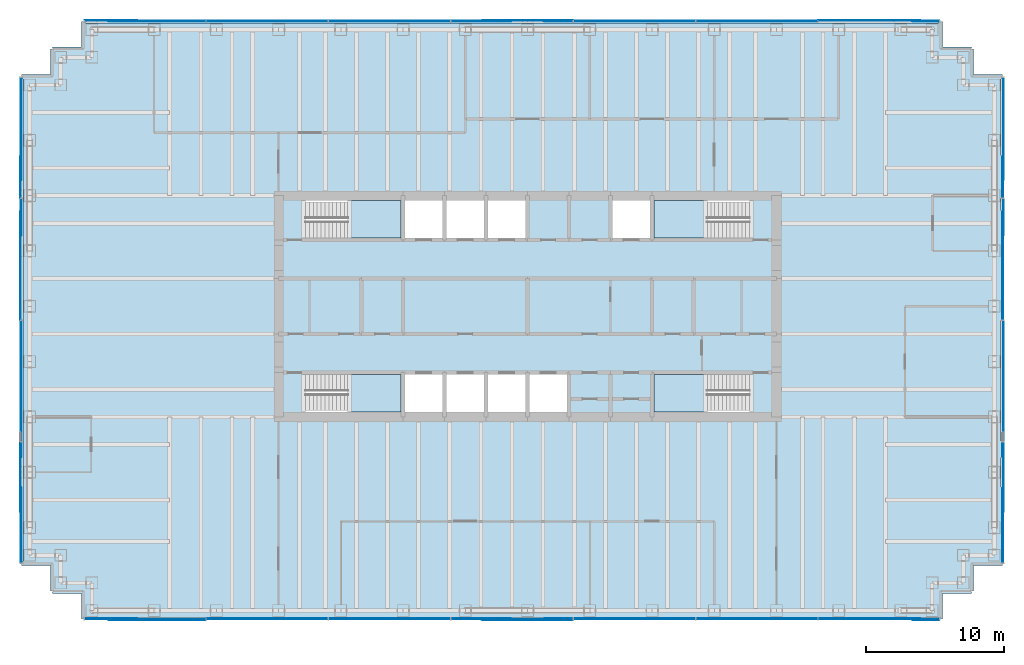
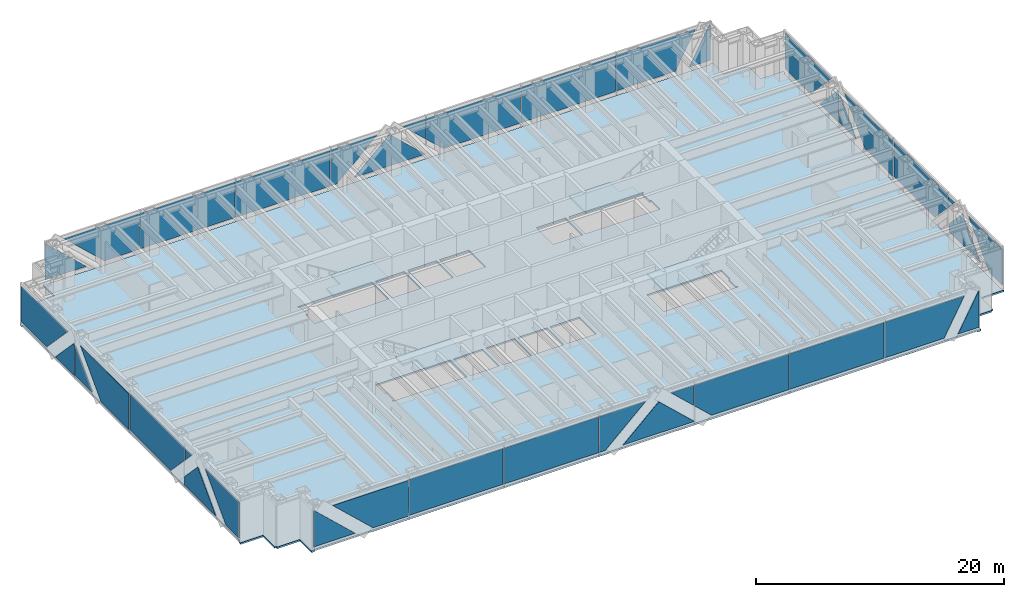
# One storey, part 10 of 17: 38 plates, 5 slabs, 8 elements without a shape of their own.
"""IFC4 building model written with IfcOpenShell, lengths in metres."""

from ifc_helpers import new_model, si_unit, direction, frame, origin, origin_2d, place, context, subcontext, project, spatial, polyline, rectangle, outline, extrude, material, layer, layer_set, type_object, element, aggregate, save


model = new_model("IFC4")

# Units and contexts
model_context = context("Model", 3, precision=1e-05, world=origin(), true_north=direction((0.0, 1.0)))
body_context = subcontext(model_context, "Body", "Model", "MODEL_VIEW")
ifc_project = project(units=[si_unit("LENGTHUNIT", "METRE"), si_unit("AREAUNIT", "SQUARE_METRE"), si_unit("VOLUMEUNIT", "CUBIC_METRE"), si_unit("PLANEANGLEUNIT", "RADIAN"), si_unit("MASSUNIT", "GRAM", prefix="KILO")], contexts=[model_context])

# Site, building, storey
site_placement = place(None, origin())
site = spatial("IfcSite", under=ifc_project, at=site_placement, CompositionType="ELEMENT")
building_placement = place(site_placement, origin())
building = spatial("IfcBuilding", under=site, at=building_placement, Name="Rheinbord Bourse Tower", CompositionType="ELEMENT")
storey_placement = place(building_placement, frame((0.0, 0.0, 300.5)))
storey = spatial("IfcBuildingStorey", under=building, at=storey_placement, Name="L68", CompositionType="ELEMENT", Elevation=300.5)

# Slab
ifc_material_1 = material(Name="Concrete C30/37", Category="concrete")
ifc_layer_1 = layer(ifc_material_1, 0.159912109375)
ifc_layer_set_1 = layer_set([ifc_layer_1], Name="COMPOSITE FLOOR SLAB 160")
slab_type_1 = type_object("IfcSlabType", Name="COMPOSITE FLOOR SLAB 160", PredefinedType="FLOOR", material=ifc_layer_set_1)
slab_1_placement = place(storey_placement, frame((0.0, 0.0, -0.159912109375)))
element("IfcSlab", 1, at=slab_1_placement, inside=storey, type_object=slab_type_1, Name="Floor slab L68", PredefinedType="FLOOR", context=body_context, shape_type="SweptSolid", body=[
    extrude(outline(polyline([(1.64990234375, 3.39990234375), (1.5, 3.39990234375), (1.5, 5.25), (-0.60009765625, 5.25), (-0.60009765625, 5.550048828125), (-0.5, 5.550048828125), (-0.5, 40.449951171875), (-0.60009765625, 40.449951171875), (-0.60009765625, 40.75), (1.5, 40.75), (1.5, 42.60009765625), (1.64990234375, 42.60009765625), (1.64990234375, 42.75), (3.75, 42.75), (3.75, 44.60009765625), (4.050048828125, 44.60009765625), (4.050048828125, 44.5), (65.699951171875, 44.5), (65.699951171875, 44.60009765625), (66.0, 44.60009765625), (66.0, 42.75), (68.10009765625, 42.75), (68.10009765625, 42.60009765625), (68.25, 42.60009765625), (68.25, 40.75), (70.35009765625, 40.75), (70.35009765625, 40.449951171875), (70.25, 40.449951171875), (70.25, 5.550048828125), (70.35009765625, 5.550048828125), (70.35009765625, 5.25), (68.25, 5.25), (68.25, 3.39990234375), (68.10009765625, 3.39990234375), (68.10009765625, 3.25), (66.0, 3.25), (66.0, 1.39990234375), (65.699951171875, 1.39990234375), (65.699951171875, 1.5), (4.050048828125, 1.5), (4.050048828125, 1.39990234375), (3.75, 1.39990234375), (3.75, 3.25), (1.64990234375, 3.25), (1.64990234375, 3.39990234375)]), holes=[polyline([(19.949951171875, 19.050048828125), (26.85009765625, 19.050048828125), (26.85009765625, 16.35009765625), (19.949951171875, 16.35009765625), (19.949951171875, 16.449951171875), (20.10009765625, 16.449951171875), (20.10009765625, 17.64990234375), (19.949951171875, 17.64990234375), (19.949951171875, 19.050048828125)]), polyline([(19.949951171875, 31.64990234375), (26.85009765625, 31.64990234375), (26.85009765625, 28.949951171875), (19.949951171875, 28.949951171875), (19.949951171875, 30.35009765625), (20.10009765625, 30.35009765625), (20.10009765625, 31.550048828125), (19.949951171875, 31.550048828125), (19.949951171875, 31.64990234375)]), polyline([(52.050048828125, 16.35009765625), (45.14990234375, 16.35009765625), (45.14990234375, 19.050048828125), (52.050048828125, 19.050048828125), (52.050048828125, 17.64990234375), (51.89990234375, 17.64990234375), (51.89990234375, 16.449951171875), (52.050048828125, 16.449951171875), (52.050048828125, 16.35009765625)]), polyline([(52.050048828125, 28.949951171875), (45.14990234375, 28.949951171875), (45.14990234375, 31.64990234375), (52.050048828125, 31.64990234375), (52.050048828125, 31.550048828125), (51.89990234375, 31.550048828125), (51.89990234375, 30.35009765625), (52.050048828125, 30.35009765625), (52.050048828125, 28.949951171875)]), polyline([(27.14990234375, 16.35009765625), (27.14990234375, 19.050048828125), (29.85009765625, 19.050048828125), (29.85009765625, 16.35009765625), (27.14990234375, 16.35009765625)]), polyline([(27.14990234375, 28.949951171875), (27.14990234375, 31.64990234375), (29.85009765625, 31.64990234375), (29.85009765625, 28.949951171875), (27.14990234375, 28.949951171875)]), polyline([(30.14990234375, 16.35009765625), (30.14990234375, 19.050048828125), (32.85009765625, 19.050048828125), (32.85009765625, 16.35009765625), (30.14990234375, 16.35009765625)]), polyline([(30.14990234375, 28.949951171875), (30.14990234375, 31.64990234375), (32.85009765625, 31.64990234375), (32.85009765625, 28.949951171875), (30.14990234375, 28.949951171875)]), polyline([(33.14990234375, 16.35009765625), (33.14990234375, 19.050048828125), (35.85009765625, 19.050048828125), (35.85009765625, 16.35009765625), (33.14990234375, 16.35009765625)]), polyline([(33.14990234375, 28.949951171875), (33.14990234375, 31.64990234375), (35.85009765625, 31.64990234375), (35.85009765625, 28.949951171875), (33.14990234375, 28.949951171875)]), polyline([(36.14990234375, 16.35009765625), (36.14990234375, 19.050048828125), (38.85009765625, 19.050048828125), (38.85009765625, 16.35009765625), (36.14990234375, 16.35009765625)]), polyline([(42.14990234375, 28.949951171875), (42.14990234375, 31.64990234375), (44.85009765625, 31.64990234375), (44.85009765625, 28.949951171875), (42.14990234375, 28.949951171875)])]), origin(), (0.0, 0.0, 1.0), 0.159912109375),
])

# Curtain wall, plates
ifc_material_2 = material(Name="Dark glass and black aluminium", Category="aluminium")
curtain_wall_type = type_object("IfcCurtainWallType", Name="CW3 DARK GLASS CURTAIN WALL", PredefinedType="USERDEFINED", material=ifc_material_2)
curtain_wall_1_placement = place(storey_placement, origin())
curtain_wall_1 = element("IfcCurtainWall", 2, at=curtain_wall_1_placement, inside=storey, type_object=curtain_wall_type, Name="Curtain wall CW3 S L68", ObjectType="UNITISED CURTAIN WALL", PredefinedType="USERDEFINED")
ifc_material_3 = material(Name="Dark tinted triple insulating glass", Category="glass")
ifc_layer_2 = layer(ifc_material_3, 0.055908203125)
ifc_layer_set_2 = layer_set([ifc_layer_2], Name="CW3 DARK GLASS PANEL")
plate_type = type_object("IfcPlateType", Name="CW3 DARK GLASS PANEL", PredefinedType="CURTAIN_PANEL", material=ifc_layer_set_2)
plate_1_placement = place(storey_placement, frame((17.175048828125, 1.39990234375, 0.35009765625), z_axis=(0.0, 0.0, 1.0), x_axis=(1.0, 0.0, 0.0)))
plate_1 = element("IfcPlate", 3, at=plate_1_placement, type_object=plate_type, Name="CW3 panel 2.1", PredefinedType="CURTAIN_PANEL", context=body_context, shape_type="SweptSolid", body=[
    extrude(rectangle(XDim=8.784912109375, YDim=0.055908203125, at=origin_2d()), origin(), (0.0, 0.0, 1.0), 3.5),
])
plate_2_placement = place(storey_placement, frame((26.02490234375, 1.39990234375, 0.35009765625), z_axis=(0.0, 0.0, 1.0), x_axis=(1.0, 0.0, 0.0)))
plate_2 = element("IfcPlate", 4, at=plate_2_placement, type_object=plate_type, Name="CW3 panel 3.1", PredefinedType="CURTAIN_PANEL", context=body_context, shape_type="SweptSolid", body=[
    extrude(rectangle(XDim=8.784912109375, YDim=0.055908203125, at=origin_2d()), origin(), (0.0, 0.0, 1.0), 3.5),
])
plate_3_placement = place(storey_placement, frame((52.574951171875, 1.39990234375, 0.35009765625), z_axis=(0.0, 0.0, 1.0), x_axis=(1.0, 0.0, 0.0)))
plate_3 = element("IfcPlate", 5, at=plate_3_placement, type_object=plate_type, Name="CW3 panel 6.1", PredefinedType="CURTAIN_PANEL", context=body_context, shape_type="SweptSolid", body=[
    extrude(rectangle(XDim=8.784912109375, YDim=0.055908203125, at=origin_2d()), origin(), (0.0, 0.0, 1.0), 3.5),
])
plate_4_placement = place(storey_placement, frame((3.965087890625, 1.3720703125, 0.35009765625), z_axis=(0.0, 1.0, 0.0), x_axis=(0.0, 0.0, 1.0)))
plate_4 = element("IfcPlate", 6, at=plate_4_placement, type_object=plate_type, Name="CW3 glass facet 1", PredefinedType="CURTAIN_PANEL", context=body_context, shape_type="SweptSolid", body=[
    extrude(outline(polyline([(0.0, 0.0), (3.5, 0.0), (3.5, 0.097900390625), (0.0, 3.847900390625), (0.0, 0.0)])), origin(), (0.0, 0.0, 1.0), 0.055908203125),
])
plate_5_placement = place(storey_placement, frame((12.717041015625, 1.31103515625, 3.85009765625), z_axis=(0.0, 1.0, 0.0), x_axis=(0.0, 0.0, -1.0)))
plate_5 = element("IfcPlate", 7, at=plate_5_placement, type_object=plate_type, Name="CW3 glass facet 2", PredefinedType="CURTAIN_PANEL", context=body_context, shape_type="SweptSolid", body=[
    extrude(outline(polyline([(0.0, 0.0), (3.5, 0.0), (3.5, 3.280029296875), (0.0, 7.030029296875), (0.0, 0.0)])), origin(), (0.0, 0.0, 1.0), 0.055908203125),
])
plate_6_placement = place(storey_placement, frame((30.48193359375, 1.3720703125, 0.35009765625), z_axis=(0.0, 1.0, 0.0), x_axis=(0.0, 0.0, 1.0)))
plate_6 = element("IfcPlate", 8, at=plate_6_placement, type_object=plate_type, Name="CW3 glass facet 1", PredefinedType="CURTAIN_PANEL", context=body_context, shape_type="SweptSolid", body=[
    extrude(outline(polyline([(0.0, 0.0), (3.5, 0.0), (3.5, 4.3310546875), (0.0, 0.5810546875), (0.0, 0.0)])), origin(), (0.0, 0.0, 1.0), 0.055908203125),
])
plate_7_placement = place(storey_placement, frame((39.26806640625, 1.31103515625, 0.35009765625), z_axis=(0.0, 1.0, 0.0), x_axis=(-1.0, 0.0, 0.0)))
plate_7 = element("IfcPlate", 9, at=plate_7_placement, type_object=plate_type, Name="CW3 glass facet 2", PredefinedType="CURTAIN_PANEL", context=body_context, shape_type="SweptSolid", body=[
    extrude(outline(polyline([(0.0, 0.0), (6.5810546875, 0.0), (3.26806640625, 3.091796875), (0.0, 0.04296875), (0.0, 0.0)])), origin(), (0.0, 0.0, 1.0), 0.055908203125),
])
plate_8_placement = place(storey_placement, frame((39.26806640625, 1.3720703125, 3.85009765625), z_axis=(0.0, 1.0, 0.0), x_axis=(0.0, 0.0, -1.0)))
plate_8 = element("IfcPlate", 10, at=plate_8_placement, type_object=plate_type, Name="CW3 glass facet 3", PredefinedType="CURTAIN_PANEL", context=body_context, shape_type="SweptSolid", body=[
    extrude(outline(polyline([(0.0, 0.0), (1.942138671875, 0.0), (0.0, 2.0810546875), (0.0, 0.0)])), origin(), (0.0, 0.0, 1.0), 0.055908203125),
])
plate_9_placement = place(storey_placement, frame((39.3330078125, 1.3720703125, 3.85009765625), z_axis=(0.0, 1.0, 0.0), x_axis=(1.0, 0.0, 0.0)))
plate_9 = element("IfcPlate", 11, at=plate_9_placement, type_object=plate_type, Name="CW3 glass facet 1", PredefinedType="CURTAIN_PANEL", context=body_context, shape_type="SweptSolid", body=[
    extrude(outline(polyline([(0.0, 0.0), (8.783935546875, 0.0), (8.783935546875, 3.5), (1.60400390625, 3.5), (0.0, 2.003173828125), (0.0, 0.0)])), origin(), (0.0, 0.0, 1.0), 0.055908203125),
])
plate_10_placement = place(storey_placement, frame((57.031982421875, 1.3720703125, 0.35009765625), z_axis=(0.0, 1.0, 0.0), x_axis=(0.0, 0.0, 1.0)))
plate_10 = element("IfcPlate", 12, at=plate_10_placement, type_object=plate_type, Name="CW3 glass facet 1", PredefinedType="CURTAIN_PANEL", context=body_context, shape_type="SweptSolid", body=[
    extrude(outline(polyline([(0.0, 0.0), (3.5, 0.0), (3.5, 7.402099609375), (0.0, 5.527099609375), (0.0, 0.0)])), origin(), (0.0, 0.0, 1.0), 0.055908203125),
])
plate_11_placement = place(storey_placement, frame((65.784912109375, 1.31103515625, 3.85009765625), z_axis=(0.0, 1.0, 0.0), x_axis=(0.0, 0.0, -1.0)))
plate_11 = element("IfcPlate", 13, at=plate_11_placement, type_object=plate_type, Name="CW3 glass facet 2", PredefinedType="CURTAIN_PANEL", context=body_context, shape_type="SweptSolid", body=[
    extrude(outline(polyline([(0.0, 0.0), (3.5, 0.0), (3.5, 1.968994140625), (0.0, 0.093994140625), (0.0, 0.0)])), origin(), (0.0, 0.0, 1.0), 0.055908203125),
])
aggregate(curtain_wall_1, [plate_1, plate_2, plate_3, plate_4, plate_5, plate_6, plate_7, plate_8, plate_9, plate_10, plate_11])

curtain_wall_2_placement = place(storey_placement, origin())
curtain_wall_2 = element("IfcCurtainWall", 14, at=curtain_wall_2_placement, inside=storey, type_object=curtain_wall_type, Name="Curtain wall CW3 E L68", ObjectType="UNITISED CURTAIN WALL", PredefinedType="USERDEFINED")
plate_12_placement = place(storey_placement, frame((70.3779296875, 5.465087890625, 0.35009765625), z_axis=(-1.0, 0.0, 0.0), x_axis=(0.0, 0.0, 1.0)))
plate_12 = element("IfcPlate", 15, at=plate_12_placement, type_object=plate_type, Name="CW3 glass facet 1", PredefinedType="CURTAIN_PANEL", context=body_context, shape_type="SweptSolid", body=[
    extrude(outline(polyline([(0.0, 0.0), (3.5, 0.0), (3.5, 5.43701171875), (0.0, 2.10302734375), (0.0, 0.0)])), origin(), (0.0, 0.0, 1.0), 0.055908203125),
])
plate_13_placement = place(storey_placement, frame((70.43896484375, 14.16796875, 0.35009765625), z_axis=(-1.0, 0.0, 0.0), x_axis=(0.0, -1.0, 0.0)))
plate_13 = element("IfcPlate", 16, at=plate_13_placement, type_object=plate_type, Name="CW3 glass facet 2", PredefinedType="CURTAIN_PANEL", context=body_context, shape_type="SweptSolid", body=[
    extrude(outline(polyline([(0.0, 0.0), (5.070068359375, 0.0), (2.16796875, 3.046875), (0.0, 0.77099609375), (0.0, 0.0)])), origin(), (0.0, 0.0, 1.0), 0.055908203125),
])
plate_14_placement = place(storey_placement, frame((70.3779296875, 14.16796875, 3.85009765625), z_axis=(-1.0, 0.0, 0.0), x_axis=(0.0, 0.0, -1.0)))
plate_14 = element("IfcPlate", 17, at=plate_14_placement, type_object=plate_type, Name="CW3 glass facet 3", PredefinedType="CURTAIN_PANEL", context=body_context, shape_type="SweptSolid", body=[
    extrude(outline(polyline([(0.0, 0.0), (1.123046875, 0.0), (0.0, 1.070068359375), (0.0, 0.0)])), origin(), (0.0, 0.0, 1.0), 0.055908203125),
])
plate_15_placement = place(storey_placement, frame((70.43896484375, 14.23193359375, 3.85009765625), z_axis=(-1.0, 0.0, 0.0), x_axis=(0.0, 1.0, 0.0)))
plate_15 = element("IfcPlate", 18, at=plate_15_placement, type_object=plate_type, Name="CW3 glass facet 2", PredefinedType="CURTAIN_PANEL", context=body_context, shape_type="SweptSolid", body=[
    extrude(outline(polyline([(0.0, 0.0), (8.736083984375, 0.0), (8.736083984375, 3.5), (2.199951171875, 3.5), (0.0, 1.191162109375), (0.0, 0.0)])), origin(), (0.0, 0.0, 1.0), 0.055908203125),
])
plate_16_placement = place(storey_placement, frame((70.3779296875, 23.031982421875, 0.35009765625), z_axis=(-1.0, 0.0, 0.0), x_axis=(0.0, 0.0, 1.0)))
plate_16 = element("IfcPlate", 19, at=plate_16_placement, type_object=plate_type, Name="CW3 glass facet 1", PredefinedType="CURTAIN_PANEL", context=body_context, shape_type="SweptSolid", body=[
    extrude(outline(polyline([(0.0, 0.0), (3.5, 0.0), (3.5, 7.8701171875), (0.0, 4.5361328125), (0.0, 0.0)])), origin(), (0.0, 0.0, 1.0), 0.055908203125),
])
plate_17_placement = place(storey_placement, frame((70.43896484375, 31.76708984375, 0.35009765625), z_axis=(-1.0, 0.0, 0.0), x_axis=(0.0, -1.0, 0.0)))
plate_17 = element("IfcPlate", 20, at=plate_17_placement, type_object=plate_type, Name="CW3 glass facet 2", PredefinedType="CURTAIN_PANEL", context=body_context, shape_type="SweptSolid", body=[
    extrude(outline(polyline([(0.0, 0.0), (2.669189453125, 0.0), (0.0, 2.802978515625), (0.0, 0.0)])), origin(), (0.0, 0.0, 1.0), 0.055908203125),
])
plate_18_placement = place(storey_placement, frame((70.3779296875, 31.8330078125, 0.35009765625), z_axis=(-1.0, 0.0, 0.0), x_axis=(0.0, 0.0, 1.0)))
plate_18 = element("IfcPlate", 21, at=plate_18_placement, type_object=plate_type, Name="CW3 glass facet 1", PredefinedType="CURTAIN_PANEL", context=body_context, shape_type="SweptSolid", body=[
    extrude(outline(polyline([(0.0, 0.0), (2.870849609375, 0.0), (3.046875, 0.1669921875), (0.0, 3.069091796875), (0.0, 0.0)])), origin(), (0.0, 0.0, 1.0), 0.055908203125),
])
plate_19_placement = place(storey_placement, frame((70.43896484375, 40.534912109375, 3.85009765625), z_axis=(-1.0, 0.0, 0.0), x_axis=(0.0, 0.0, -1.0)))
plate_19 = element("IfcPlate", 22, at=plate_19_placement, type_object=plate_type, Name="CW3 glass facet 2", PredefinedType="CURTAIN_PANEL", context=body_context, shape_type="SweptSolid", body=[
    extrude(outline(polyline([(0.0, 0.0), (3.5, 0.0), (3.5, 4.10302734375), (0.0, 7.43701171875), (0.0, 0.0)])), origin(), (0.0, 0.0, 1.0), 0.055908203125),
])
aggregate(curtain_wall_2, [plate_12, plate_13, plate_14, plate_15, plate_16, plate_17, plate_18, plate_19])

curtain_wall_3_placement = place(storey_placement, origin())
curtain_wall_3 = element("IfcCurtainWall", 23, at=curtain_wall_3_placement, inside=storey, type_object=curtain_wall_type, Name="Curtain wall CW3 N L68", ObjectType="UNITISED CURTAIN WALL", PredefinedType="USERDEFINED")
plate_20_placement = place(storey_placement, frame((52.574951171875, 44.60009765625, 0.35009765625), z_axis=(0.0, 0.0, 1.0), x_axis=(-1.0, 0.0, 0.0)))
plate_20 = element("IfcPlate", 24, at=plate_20_placement, type_object=plate_type, Name="CW3 panel 2.1", PredefinedType="CURTAIN_PANEL", context=body_context, shape_type="SweptSolid", body=[
    extrude(rectangle(XDim=8.784912109375, YDim=0.055908203125, at=origin_2d()), origin(), (0.0, 0.0, 1.0), 3.5),
])
plate_21_placement = place(storey_placement, frame((26.02490234375, 44.60009765625, 0.35009765625), z_axis=(0.0, 0.0, 1.0), x_axis=(-1.0, 0.0, 0.0)))
plate_21 = element("IfcPlate", 25, at=plate_21_placement, type_object=plate_type, Name="CW3 panel 5.1", PredefinedType="CURTAIN_PANEL", context=body_context, shape_type="SweptSolid", body=[
    extrude(rectangle(XDim=8.784912109375, YDim=0.055908203125, at=origin_2d()), origin(), (0.0, 0.0, 1.0), 3.5),
])
plate_22_placement = place(storey_placement, frame((17.175048828125, 44.60009765625, 0.35009765625), z_axis=(0.0, 0.0, 1.0), x_axis=(-1.0, 0.0, 0.0)))
plate_22 = element("IfcPlate", 26, at=plate_22_placement, type_object=plate_type, Name="CW3 panel 6.1", PredefinedType="CURTAIN_PANEL", context=body_context, shape_type="SweptSolid", body=[
    extrude(rectangle(XDim=8.784912109375, YDim=0.055908203125, at=origin_2d()), origin(), (0.0, 0.0, 1.0), 3.5),
])
plate_23_placement = place(storey_placement, frame((65.784912109375, 44.6279296875, 0.35009765625), z_axis=(0.0, -1.0, 0.0), x_axis=(0.0, 0.0, 1.0)))
plate_23 = element("IfcPlate", 27, at=plate_23_placement, type_object=plate_type, Name="CW3 glass facet 1", PredefinedType="CURTAIN_PANEL", context=body_context, shape_type="SweptSolid", body=[
    extrude(outline(polyline([(0.0, 0.0), (3.5, 0.0), (3.5, 0.093994140625), (0.0, 1.968994140625), (0.0, 0.0)])), origin(), (0.0, 0.0, 1.0), 0.055908203125),
])
plate_24_placement = place(storey_placement, frame((57.031982421875, 44.68896484375, 3.85009765625), z_axis=(0.0, -1.0, 0.0), x_axis=(0.0, 0.0, -1.0)))
plate_24 = element("IfcPlate", 28, at=plate_24_placement, type_object=plate_type, Name="CW3 glass facet 2", PredefinedType="CURTAIN_PANEL", context=body_context, shape_type="SweptSolid", body=[
    extrude(outline(polyline([(0.0, 0.0), (3.5, 0.0), (3.5, 5.527099609375), (0.0, 7.402099609375), (0.0, 0.0)])), origin(), (0.0, 0.0, 1.0), 0.055908203125),
])
plate_25_placement = place(storey_placement, frame((48.116943359375, 44.6279296875, 0.35009765625), z_axis=(0.0, -1.0, 0.0), x_axis=(0.0, 0.0, 1.0)))
plate_25 = element("IfcPlate", 29, at=plate_25_placement, type_object=plate_type, Name="CW3 glass facet 1", PredefinedType="CURTAIN_PANEL", context=body_context, shape_type="SweptSolid", body=[
    extrude(outline(polyline([(0.0, 0.0), (3.5, 0.0), (3.5, 8.784912109375), (1.496826171875, 8.784912109375), (0.0, 7.179931640625), (0.0, 0.0)])), origin(), (0.0, 0.0, 1.0), 0.055908203125),
])
plate_26_placement = place(storey_placement, frame((39.26708984375, 44.6279296875, 3.85009765625), z_axis=(0.0, -1.0, 0.0), x_axis=(-1.0, 0.0, 0.0)))
plate_26 = element("IfcPlate", 30, at=plate_26_placement, type_object=plate_type, Name="CW3 glass facet 1", PredefinedType="CURTAIN_PANEL", context=body_context, shape_type="SweptSolid", body=[
    extrude(outline(polyline([(0.0, 0.0), (2.080078125, 0.0), (0.0, 1.942138671875), (0.0, 0.0)])), origin(), (0.0, 0.0, 1.0), 0.055908203125),
])
plate_27_placement = place(storey_placement, frame((39.26708984375, 44.68896484375, 0.35009765625), z_axis=(0.0, -1.0, 0.0), x_axis=(0.0, 0.0, 1.0)))
plate_27 = element("IfcPlate", 31, at=plate_27_placement, type_object=plate_type, Name="CW3 glass facet 2", PredefinedType="CURTAIN_PANEL", context=body_context, shape_type="SweptSolid", body=[
    extrude(outline(polyline([(0.0, 0.0), (0.04296875, 0.0), (3.091796875, 3.26708984375), (0.0, 6.580078125), (0.0, 0.0)])), origin(), (0.0, 0.0, 1.0), 0.055908203125),
])
plate_28_placement = place(storey_placement, frame((30.48291015625, 44.6279296875, 3.85009765625), z_axis=(0.0, -1.0, 0.0), x_axis=(0.0, 0.0, -1.0)))
plate_28 = element("IfcPlate", 32, at=plate_28_placement, type_object=plate_type, Name="CW3 glass facet 3", PredefinedType="CURTAIN_PANEL", context=body_context, shape_type="SweptSolid", body=[
    extrude(outline(polyline([(0.0, 0.0), (3.5, 0.0), (3.5, 0.580078125), (0.0, 4.330078125), (0.0, 0.0)])), origin(), (0.0, 0.0, 1.0), 0.055908203125),
])
plate_29_placement = place(storey_placement, frame((12.718017578125, 44.6279296875, 0.35009765625), z_axis=(0.0, -1.0, 0.0), x_axis=(0.0, 0.0, 1.0)))
plate_29 = element("IfcPlate", 33, at=plate_29_placement, type_object=plate_type, Name="CW3 glass facet 1", PredefinedType="CURTAIN_PANEL", context=body_context, shape_type="SweptSolid", body=[
    extrude(outline(polyline([(0.0, 0.0), (3.5, 0.0), (3.5, 7.031005859375), (0.0, 3.281005859375), (0.0, 0.0)])), origin(), (0.0, 0.0, 1.0), 0.055908203125),
])
plate_30_placement = place(storey_placement, frame((3.965087890625, 44.68896484375, 3.85009765625), z_axis=(0.0, -1.0, 0.0), x_axis=(0.0, 0.0, -1.0)))
plate_30 = element("IfcPlate", 34, at=plate_30_placement, type_object=plate_type, Name="CW3 glass facet 2", PredefinedType="CURTAIN_PANEL", context=body_context, shape_type="SweptSolid", body=[
    extrude(outline(polyline([(0.0, 0.0), (3.5, 0.0), (3.5, 3.847900390625), (0.0, 0.097900390625), (0.0, 0.0)])), origin(), (0.0, 0.0, 1.0), 0.055908203125),
])
aggregate(curtain_wall_3, [plate_20, plate_21, plate_22, plate_23, plate_24, plate_25, plate_26, plate_27, plate_28, plate_29, plate_30])

curtain_wall_4_placement = place(storey_placement, origin())
curtain_wall_4 = element("IfcCurtainWall", 35, at=curtain_wall_4_placement, inside=storey, type_object=curtain_wall_type, Name="Curtain wall CW3 W L68", ObjectType="UNITISED CURTAIN WALL", PredefinedType="USERDEFINED")
plate_31_placement = place(storey_placement, frame((-0.6279296875, 40.534912109375, 0.35009765625), z_axis=(1.0, 0.0, 0.0), x_axis=(0.0, 0.0, 1.0)))
plate_31 = element("IfcPlate", 36, at=plate_31_placement, type_object=plate_type, Name="CW3 glass facet 1", PredefinedType="CURTAIN_PANEL", context=body_context, shape_type="SweptSolid", body=[
    extrude(outline(polyline([(0.0, 0.0), (3.5, 0.0), (3.5, 7.43701171875), (0.0, 4.10302734375), (0.0, 0.0)])), origin(), (0.0, 0.0, 1.0), 0.055908203125),
])
plate_32_placement = place(storey_placement, frame((-0.68896484375, 31.8330078125, 0.35009765625), z_axis=(1.0, 0.0, 0.0), x_axis=(0.0, 1.0, 0.0)))
plate_32 = element("IfcPlate", 37, at=plate_32_placement, type_object=plate_type, Name="CW3 glass facet 2", PredefinedType="CURTAIN_PANEL", context=body_context, shape_type="SweptSolid", body=[
    extrude(outline(polyline([(0.0, 0.0), (3.069091796875, 0.0), (0.1669921875, 3.046875), (0.0, 2.870849609375), (0.0, 0.0)])), origin(), (0.0, 0.0, 1.0), 0.055908203125),
])
plate_33_placement = place(storey_placement, frame((-0.6279296875, 31.76708984375, 0.35009765625), z_axis=(1.0, 0.0, 0.0), x_axis=(0.0, 0.0, 1.0)))
plate_33 = element("IfcPlate", 38, at=plate_33_placement, type_object=plate_type, Name="CW3 glass facet 1", PredefinedType="CURTAIN_PANEL", context=body_context, shape_type="SweptSolid", body=[
    extrude(outline(polyline([(0.0, 0.0), (2.802978515625, 0.0), (0.0, 2.669189453125), (0.0, 0.0)])), origin(), (0.0, 0.0, 1.0), 0.055908203125),
])
plate_34_placement = place(storey_placement, frame((-0.68896484375, 23.031982421875, 3.85009765625), z_axis=(1.0, 0.0, 0.0), x_axis=(0.0, 0.0, -1.0)))
plate_34 = element("IfcPlate", 39, at=plate_34_placement, type_object=plate_type, Name="CW3 glass facet 2", PredefinedType="CURTAIN_PANEL", context=body_context, shape_type="SweptSolid", body=[
    extrude(outline(polyline([(0.0, 0.0), (3.5, 0.0), (3.5, 4.5361328125), (0.0, 7.8701171875), (0.0, 0.0)])), origin(), (0.0, 0.0, 1.0), 0.055908203125),
])
plate_35_placement = place(storey_placement, frame((-0.6279296875, 22.968017578125, 0.35009765625), z_axis=(1.0, 0.0, 0.0), x_axis=(0.0, 0.0, 1.0)))
plate_35 = element("IfcPlate", 40, at=plate_35_placement, type_object=plate_type, Name="CW3 glass facet 1", PredefinedType="CURTAIN_PANEL", context=body_context, shape_type="SweptSolid", body=[
    extrude(outline(polyline([(0.0, 0.0), (3.5, 0.0), (3.5, 8.735107421875), (2.308837890625, 8.735107421875), (0.0, 6.5361328125), (0.0, 0.0)])), origin(), (0.0, 0.0, 1.0), 0.055908203125),
])
plate_36_placement = place(storey_placement, frame((-0.6279296875, 14.1669921875, 3.85009765625), z_axis=(1.0, 0.0, 0.0), x_axis=(0.0, -1.0, 0.0)))
plate_36 = element("IfcPlate", 41, at=plate_36_placement, type_object=plate_type, Name="CW3 glass facet 1", PredefinedType="CURTAIN_PANEL", context=body_context, shape_type="SweptSolid", body=[
    extrude(outline(polyline([(0.0, 0.0), (1.069091796875, 0.0), (0.0, 1.123046875), (0.0, 0.0)])), origin(), (0.0, 0.0, 1.0), 0.055908203125),
])
plate_37_placement = place(storey_placement, frame((-0.68896484375, 14.1669921875, 0.35009765625), z_axis=(1.0, 0.0, 0.0), x_axis=(0.0, 0.0, 1.0)))
plate_37 = element("IfcPlate", 42, at=plate_37_placement, type_object=plate_type, Name="CW3 glass facet 2", PredefinedType="CURTAIN_PANEL", context=body_context, shape_type="SweptSolid", body=[
    extrude(outline(polyline([(0.0, 0.0), (0.77099609375, 0.0), (3.046875, 2.1669921875), (0.0, 5.069091796875), (0.0, 0.0)])), origin(), (0.0, 0.0, 1.0), 0.055908203125),
])
plate_38_placement = place(storey_placement, frame((-0.6279296875, 5.465087890625, 3.85009765625), z_axis=(1.0, 0.0, 0.0), x_axis=(0.0, 0.0, -1.0)))
plate_38 = element("IfcPlate", 43, at=plate_38_placement, type_object=plate_type, Name="CW3 glass facet 3", PredefinedType="CURTAIN_PANEL", context=body_context, shape_type="SweptSolid", body=[
    extrude(outline(polyline([(0.0, 0.0), (3.5, 0.0), (3.5, 2.10302734375), (0.0, 5.43701171875), (0.0, 0.0)])), origin(), (0.0, 0.0, 1.0), 0.055908203125),
])
aggregate(curtain_wall_4, [plate_31, plate_32, plate_33, plate_34, plate_35, plate_36, plate_37, plate_38])

# Stair, slab
ifc_material_4 = material(Name="Concrete C30/37", Category="concrete")
stair_type = type_object("IfcStairType", Name="CORE STAIR HALF TURN 4200", PredefinedType="HALF_TURN_STAIR", material=ifc_material_4)
stair_1_placement = place(storey_placement, origin())
stair_1 = element("IfcStair", 44, at=stair_1_placement, inside=storey, type_object=stair_type, Name="Stair ST1 L68, type CS6", PredefinedType="HALF_TURN_STAIR")
ifc_material_5 = material(Name="Concrete C30/37", Category="concrete")
ifc_layer_3 = layer(ifc_material_5, 0.199951171875)
ifc_layer_set_3 = layer_set([ifc_layer_3], Name="STAIR LANDING 200")
slab_type_2 = type_object("IfcSlabType", Name="STAIR LANDING 200", PredefinedType="LANDING", material=ifc_layer_set_3)
slab_2_placement = place(storey_placement, frame((0.0, 0.0, 1.89990234375)))
slab_2 = element("IfcSlab", 45, at=slab_2_placement, type_object=slab_type_2, Name="Half landing ST1 L68", PredefinedType="LANDING", context=body_context, shape_type="SweptSolid", body=[
    extrude(outline(polyline([(23.030029296875, 16.35009765625), (26.85009765625, 16.35009765625), (26.85009765625, 19.050048828125), (21.748046875, 19.050048828125), (21.748046875, 17.85009765625), (23.030029296875, 17.85009765625), (23.030029296875, 16.35009765625)])), origin(), (0.0, 0.0, 1.0), 0.2001953125),
])
aggregate(stair_1, [slab_2])

stair_2_placement = place(storey_placement, origin())
stair_2 = element("IfcStair", 46, at=stair_2_placement, inside=storey, type_object=stair_type, Name="Stair ST2 L68, type CS6", PredefinedType="HALF_TURN_STAIR")
slab_3_placement = place(storey_placement, frame((0.0, 0.0, 1.89990234375)))
slab_3 = element("IfcSlab", 47, at=slab_3_placement, type_object=slab_type_2, Name="Half landing ST2 L68", PredefinedType="LANDING", context=body_context, shape_type="SweptSolid", body=[
    extrude(outline(polyline([(21.748046875, 28.949951171875), (26.85009765625, 28.949951171875), (26.85009765625, 31.64990234375), (23.030029296875, 31.64990234375), (23.030029296875, 30.14990234375), (21.748046875, 30.14990234375), (21.748046875, 28.949951171875)])), origin(), (0.0, 0.0, 1.0), 0.2001953125),
])
aggregate(stair_2, [slab_3])

stair_3_placement = place(storey_placement, origin())
stair_3 = element("IfcStair", 48, at=stair_3_placement, inside=storey, type_object=stair_type, Name="Stair ST3 L68, type CS6", PredefinedType="HALF_TURN_STAIR")
slab_4_placement = place(storey_placement, frame((0.0, 0.0, 1.89990234375)))
slab_4 = element("IfcSlab", 49, at=slab_4_placement, type_object=slab_type_2, Name="Half landing ST3 L68", PredefinedType="LANDING", context=body_context, shape_type="SweptSolid", body=[
    extrude(outline(polyline([(45.14990234375, 16.35009765625), (48.969970703125, 16.35009765625), (48.969970703125, 17.85009765625), (50.251953125, 17.85009765625), (50.251953125, 19.050048828125), (45.14990234375, 19.050048828125), (45.14990234375, 16.35009765625)])), origin(), (0.0, 0.0, 1.0), 0.2001953125),
])
aggregate(stair_3, [slab_4])

stair_4_placement = place(storey_placement, origin())
stair_4 = element("IfcStair", 50, at=stair_4_placement, inside=storey, type_object=stair_type, Name="Stair ST4 L68, type CS6", PredefinedType="HALF_TURN_STAIR")
slab_5_placement = place(storey_placement, frame((0.0, 0.0, 1.89990234375)))
slab_5 = element("IfcSlab", 51, at=slab_5_placement, type_object=slab_type_2, Name="Half landing ST4 L68", PredefinedType="LANDING", context=body_context, shape_type="SweptSolid", body=[
    extrude(outline(polyline([(45.14990234375, 28.949951171875), (50.251953125, 28.949951171875), (50.251953125, 30.14990234375), (48.969970703125, 30.14990234375), (48.969970703125, 31.64990234375), (45.14990234375, 31.64990234375), (45.14990234375, 28.949951171875)])), origin(), (0.0, 0.0, 1.0), 0.2001953125),
])
aggregate(stair_4, [slab_5])

save(model, "model.ifc")
